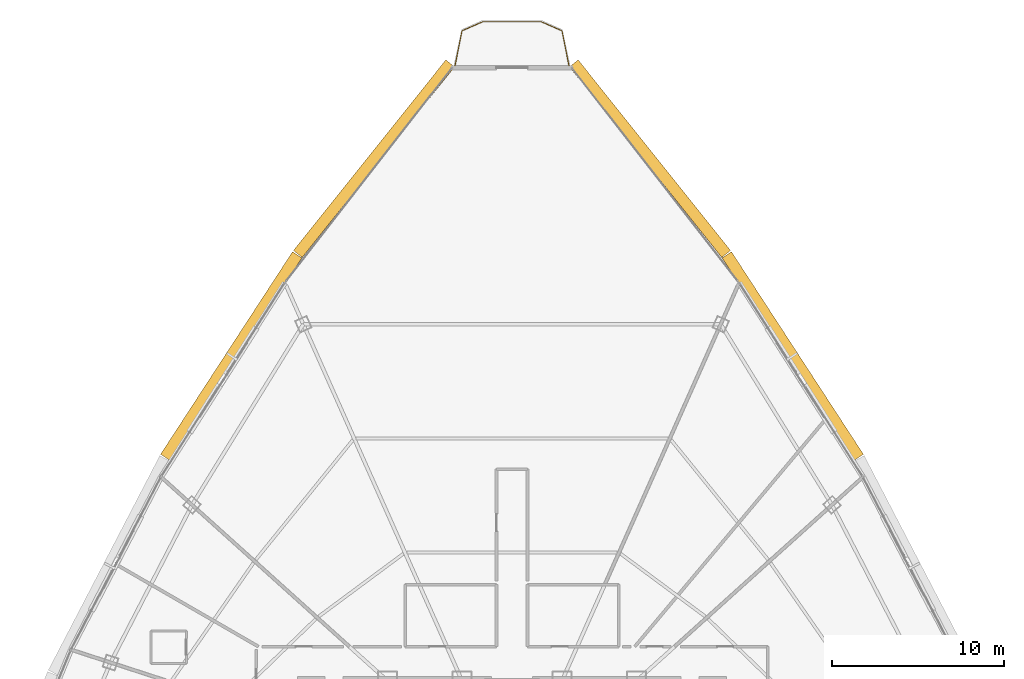
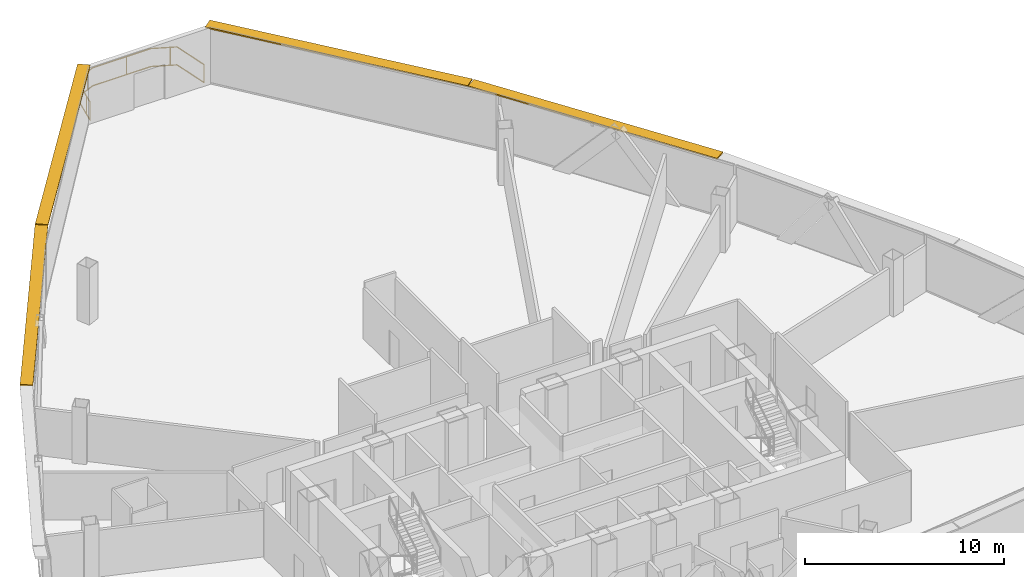
# One storey, part 40 of 40: 4 shading devices, 1 railing.
"""IFC4 building model written with IfcOpenShell, lengths in metres."""

from ifc_helpers import new_model, si_unit, direction, frame, origin, origin_2d, place, context, subcontext, project, spatial, rectangle, extrude, source, transform, mapped, material, layer, layer_set, type_object, element, save


model = new_model("IFC4")

# Units and contexts
model_context = context("Model", 3, precision=1e-05, world=origin(), true_north=direction((0.0, 1.0)))
body_context = subcontext(model_context, "Body", "Model", "MODEL_VIEW")
ifc_project = project(units=[si_unit("LENGTHUNIT", "METRE"), si_unit("AREAUNIT", "SQUARE_METRE"), si_unit("VOLUMEUNIT", "CUBIC_METRE"), si_unit("PLANEANGLEUNIT", "RADIAN"), si_unit("MASSUNIT", "GRAM", prefix="KILO"), si_unit("THERMODYNAMICTEMPERATUREUNIT", "KELVIN"), si_unit("POWERUNIT", "WATT")], contexts=[model_context])

# Site, building, storey
site_placement = place(None, origin())
site = spatial("IfcSite", under=ifc_project, at=site_placement, CompositionType="ELEMENT")
building_placement = place(site_placement, origin())
building = spatial("IfcBuilding", under=site, at=building_placement, Name="Yunzhuo Pagoda Commons", CompositionType="ELEMENT")
storey_placement = place(building_placement, frame((0.0, 0.0, 292.47998046875)))
storey = spatial("IfcBuildingStorey", under=building, at=storey_placement, Name="L73", CompositionType="ELEMENT", Elevation=292.47998046875)

# Railing
ifc_material = material(Name="Anodized aluminium 6063-T6", Category="aluminium")
railing_type = type_object("IfcRailingType", Name="RL-BAL1 Exterior Terrace & Balcony Balustrade 1150", PredefinedType="BALUSTRADE", material=ifc_material)
railing_placement = place(storey_placement, frame((51.304931640625, 75.920166015625, 0.0)))
element("IfcRailing", 1, at=railing_placement, inside=storey, type_object=railing_type, Name="L73 corner balcony balustrade V3", PredefinedType="BALUSTRADE", context=body_context, shape_type="SweptSolid", body=[
    extrude(rectangle(XDim=0.048095703125, YDim=0.048095703125, at=origin_2d()), frame((0.0, 0.0, 1.1259765625), z_axis=(-0.194200568098, 0.980961843983, 0.0), x_axis=(-0.980961843983, -0.194200568098, 0.0)), (0.0, 0.0, 1.0), 2.059326171875),
    extrude(rectangle(XDim=0.048095703125, YDim=0.048095703125, at=origin_2d()), frame((0.0, 0.0, 0.02392578125), z_axis=(-0.194200568098, 0.980961843983, 0.0), x_axis=(-0.980961843983, -0.194200568098, 0.0)), (0.0, 0.0, 1.0), 2.059326171875),
    extrude(rectangle(XDim=0.048095703125, YDim=0.048095703125, at=origin_2d()), frame((-0.39990234375, 2.02001953125, 1.1259765625), z_axis=(-0.916296997847, 0.400499452854, 0.0), x_axis=(-0.400499452854, -0.916296997847, 0.0)), (0.0, 0.0, 1.0), 1.323486328125),
    extrude(rectangle(XDim=0.048095703125, YDim=0.048095703125, at=origin_2d()), frame((-0.39990234375, 2.02001953125, 0.02392578125), z_axis=(-0.916296997847, 0.400499452854, 0.0), x_axis=(-0.400499452854, -0.916296997847, 0.0)), (0.0, 0.0, 1.0), 1.323486328125),
    extrude(rectangle(XDim=0.048095703125, YDim=0.048095703125, at=origin_2d()), frame((-1.612548828125, 2.550048828125, 1.1259765625), z_axis=(-1.0, 0.0, 0.0), x_axis=(0.0, -1.0, 0.0)), (0.0, 0.0, 1.0), 3.384765625),
    extrude(rectangle(XDim=0.048095703125, YDim=0.048095703125, at=origin_2d()), frame((-1.612548828125, 2.550048828125, 0.02392578125), z_axis=(-1.0, 0.0, 0.0), x_axis=(0.0, -1.0, 0.0)), (0.0, 0.0, 1.0), 3.384765625),
    extrude(rectangle(XDim=0.048095703125, YDim=0.048095703125, at=origin_2d()), frame((-4.997314453125, 2.550048828125, 1.1259765625), z_axis=(-0.916296997847, -0.400499452854, 0.0), x_axis=(0.400499452854, -0.916296997847, 0.0)), (0.0, 0.0, 1.0), 1.323486328125),
    extrude(rectangle(XDim=0.048095703125, YDim=0.048095703125, at=origin_2d()), frame((-4.997314453125, 2.550048828125, 0.02392578125), z_axis=(-0.916296997847, -0.400499452854, 0.0), x_axis=(0.400499452854, -0.916296997847, 0.0)), (0.0, 0.0, 1.0), 1.323486328125),
    extrude(rectangle(XDim=0.048095703125, YDim=0.048095703125, at=origin_2d()), frame((-6.2099609375, 2.02001953125, 1.1259765625), z_axis=(-0.194200568098, -0.980961843983, 0.0), x_axis=(0.980961843983, -0.194200568098, 0.0)), (0.0, 0.0, 1.0), 2.059326171875),
    extrude(rectangle(XDim=0.048095703125, YDim=0.048095703125, at=origin_2d()), frame((-6.2099609375, 2.02001953125, 0.02392578125), z_axis=(-0.194200568098, -0.980961843983, 0.0), x_axis=(0.980961843983, -0.194200568098, 0.0)), (0.0, 0.0, 1.0), 2.059326171875),
    extrude(rectangle(XDim=0.0419921875, YDim=0.0419921875, at=origin_2d()), origin(), (0.0, 0.0, 1.0), 1.101806640625),
    extrude(rectangle(XDim=0.0419921875, YDim=0.0419921875, at=origin_2d()), frame((-0.712158203125, 2.156494140625, 0.0)), (0.0, 0.0, 1.0), 1.101806640625),
    extrude(rectangle(XDim=0.0419921875, YDim=0.0419921875, at=origin_2d()), frame((-3.02978515625, 2.550048828125, 0.0)), (0.0, 0.0, 1.0), 1.101806640625),
    extrude(rectangle(XDim=0.0419921875, YDim=0.0419921875, at=origin_2d()), frame((-5.393798828125, 2.376708984375, 0.0)), (0.0, 0.0, 1.0), 1.101806640625),
    extrude(rectangle(XDim=0.0419921875, YDim=0.0419921875, at=origin_2d()), frame((-6.5029296875, 0.53955078125, 0.0)), (0.0, 0.0, 1.0), 1.101806640625),
    extrude(rectangle(XDim=0.0419921875, YDim=0.0419921875, at=origin_2d()), frame((-6.60986328125, 0.0, 0.0)), (0.0, 0.0, 1.0), 1.101806640625),
])

# Shading devices
ifc_layer = layer(ifc_material, 0.080078125)
ifc_layer_set = layer_set([ifc_layer], Name="Anodized aluminium 6063-T6")
shading_device_type = type_object("IfcShadingDeviceType", Name="SH-SUN1 Pagoda Horizontal Sunshade Eave 650", PredefinedType="USERDEFINED", material=ifc_layer_set)
shared_shape_1 = source(origin(), body_context, "Body", "SweptSolid", [
    extrude(rectangle(XDim=14.165283203125, YDim=0.64990234375, at=origin_2d()), origin(), (0.0, 0.0, 1.0), 0.080078125),
])
for number, where, z_axis, x_axis, name in (
    (2, (56.00830078125, 70.522705078125, 3.389892578125), (0.0, 0.0, 1.0), (-0.624520471688, 0.781008438138, 0.0), "L73 horizontal pagoda sunshade eave F2.4"),
    (3, (39.99169921875, 70.522705078125, 3.389892578125), (0.0, 0.0, 1.0), (-0.624520471688, -0.781008438138, 0.0), "L73 horizontal pagoda sunshade eave F3.1"),
):
    element("IfcShadingDevice", number, at=place(storey_placement, frame(where, z_axis=z_axis, x_axis=x_axis)), inside=storey, type_object=shading_device_type, Name=name, ObjectType="SUNSHADE", PredefinedType="USERDEFINED", context=body_context, shape_type="MappedRepresentation", body=[
        mapped(shared_shape_1, transform((0.0, 0.0, 0.0), scale=1.0)),
    ])
shared_shape_2 = source(origin(), body_context, "Body", "SweptSolid", [
    extrude(rectangle(XDim=14.031005859375, YDim=0.64990234375, at=origin_2d()), origin(), (0.0, 0.0, 1.0), 0.080078125),
])
for number, where, z_axis, x_axis, name in (
    (4, (64.2978515625, 59.061767578125, 3.389892578125), (0.0, 0.0, 1.0), (-0.545853380833, 0.837880711458, 0.0), "L73 horizontal pagoda sunshade eave F2.3"),
    (5, (31.7021484375, 59.061767578125, 3.389892578125), (0.0, 0.0, 1.0), (-0.545853380833, -0.837880711458, 0.0), "L73 horizontal pagoda sunshade eave F3.2"),
):
    element("IfcShadingDevice", number, at=place(storey_placement, frame(where, z_axis=z_axis, x_axis=x_axis)), inside=storey, type_object=shading_device_type, Name=name, ObjectType="SUNSHADE", PredefinedType="USERDEFINED", context=body_context, shape_type="MappedRepresentation", body=[
        mapped(shared_shape_2, transform((0.0, 0.0, 0.0), scale=1.0)),
    ])

save(model, "model.ifc")
